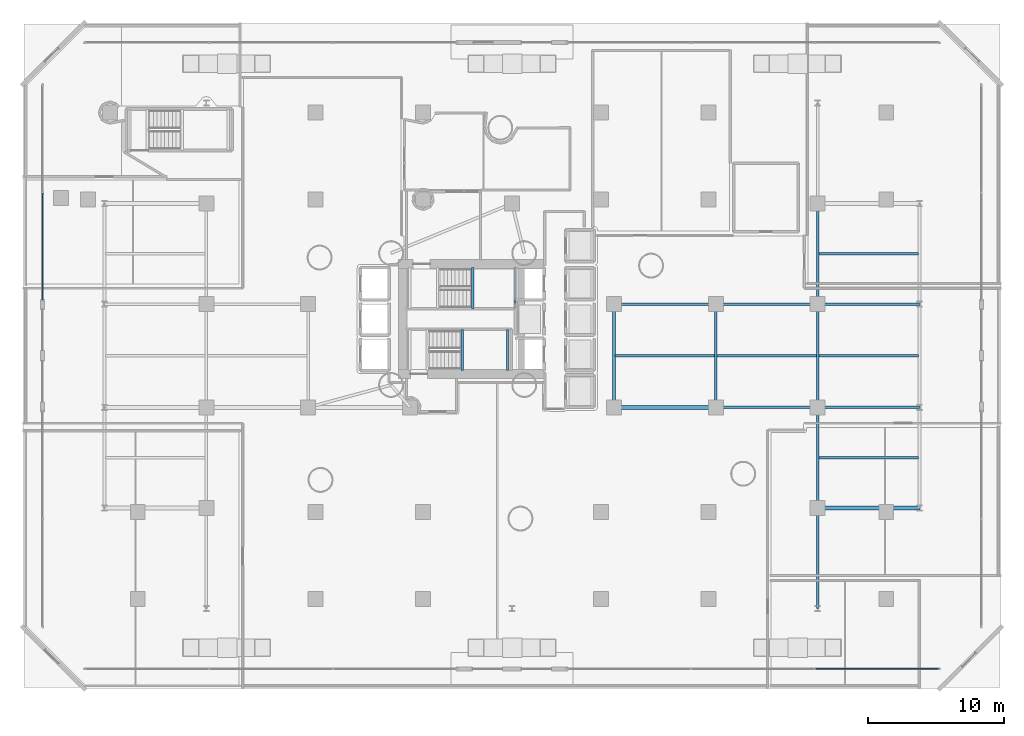
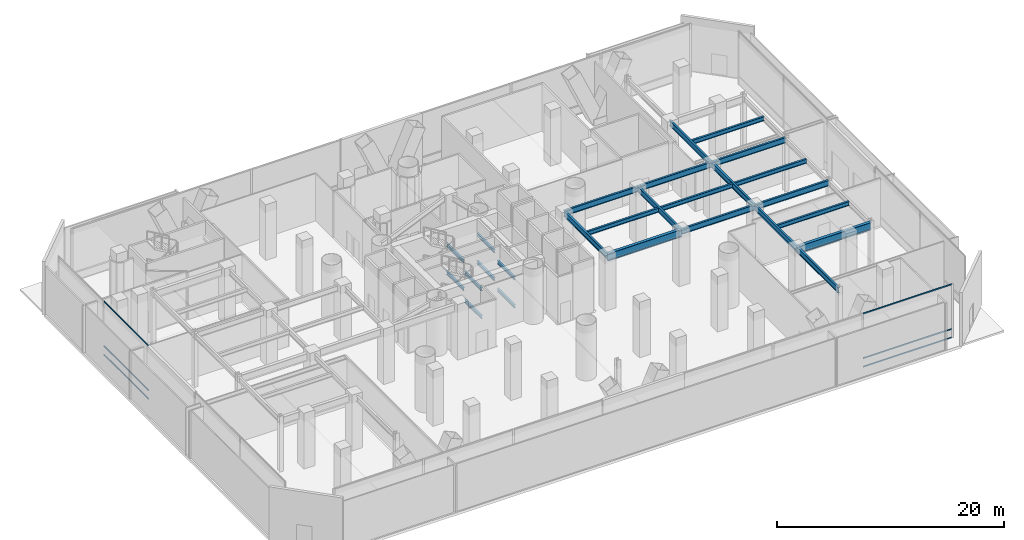
# One storey, part 14 of 40: 26 beams, 6 members, 2 elements without a shape of their own.
"""IFC4 building model written with IfcOpenShell, lengths in metres."""

from ifc_helpers import new_model, si_unit, direction, frame, origin, origin_2d, place, context, subcontext, project, spatial, hollow_rectangle, i_section, extrude, material, layer, layer_set, material_profile, profile_set, type_object, element, aggregate, save


model = new_model("IFC4")

# Units and contexts
model_context = context("Model", 3, precision=1e-05, world=origin(), true_north=direction((0.0, 1.0)))
body_context = subcontext(model_context, "Body", "Model", "MODEL_VIEW")
ifc_project = project(units=[si_unit("LENGTHUNIT", "METRE"), si_unit("AREAUNIT", "SQUARE_METRE"), si_unit("VOLUMEUNIT", "CUBIC_METRE"), si_unit("PLANEANGLEUNIT", "RADIAN"), si_unit("MASSUNIT", "GRAM", prefix="KILO")], contexts=[model_context])

# Site, building, storey
site_placement = place(None, origin())
site = spatial("IfcSite", under=ifc_project, at=site_placement, CompositionType="ELEMENT")
building_placement = place(site_placement, origin())
building = spatial("IfcBuilding", under=site, at=building_placement, Name="Qianvela Tower", CompositionType="ELEMENT")
storey_placement = place(building_placement, origin())
storey = spatial("IfcBuildingStorey", under=building, at=storey_placement, Name="L00", CompositionType="ELEMENT", Elevation=0.0)

# Beams
ifc_material_1 = material(Name="Steel Q355B", Category="steel")
ifc_material_profile_1 = material_profile(ifc_material_1, i_section(OverallWidth=0.175048828125, OverallDepth=0.35009765625, WebThickness=0.007080078125, FlangeThickness=0.010986328125, at=origin_2d()), Name="HN350x175x7x11")
ifc_profile_set_1 = profile_set([ifc_material_profile_1], Name="Steel Q355B")
beam_type_1 = type_object("IfcBeamType", Name="BM-HN350-JOIST", PredefinedType="JOIST", material=ifc_profile_set_1)
for number, where, z_axis, x_axis, name in (
    (1, (34.6201171875, 29.4599609375, 1.125), (0.0, 1.0, 0.0), (-1.0, 0.0, 0.0), "L00 Stair ST-1 Landing Support Beam 1.1"),
    (2, (37.719970703125, 29.4599609375, 1.125), (0.0, 1.0, 0.0), (-1.0, 0.0, 0.0), "L00 Stair ST-1 Landing Support Beam 1.2"),
    (3, (34.6201171875, 29.4599609375, 4.125), (0.0, 1.0, 0.0), (-1.0, 0.0, 0.0), "L00 Stair ST-1 Landing Support Beam 3.1"),
    (4, (37.719970703125, 29.4599609375, 4.125), (0.0, 1.0, 0.0), (-1.0, 0.0, 0.0), "L00 Stair ST-1 Landing Support Beam 3.2"),
    (5, (33.840087890625, 24.919921875, 1.125), (0.0, 1.0, 0.0), (-1.0, 0.0, 0.0), "L00 Stair ST-2 Landing Support Beam 1.1"),
    (6, (37.169921875, 24.919921875, 1.125), (0.0, 1.0, 0.0), (-1.0, 0.0, 0.0), "L00 Stair ST-2 Landing Support Beam 1.2"),
    (7, (33.840087890625, 24.919921875, 4.125), (0.0, 1.0, 0.0), (-1.0, 0.0, 0.0), "L00 Stair ST-2 Landing Support Beam 3.1"),
    (8, (37.169921875, 24.919921875, 4.125), (0.0, 1.0, 0.0), (-1.0, 0.0, 0.0), "L00 Stair ST-2 Landing Support Beam 3.2"),
):
    element("IfcBeam", number, at=place(storey_placement, frame(where, z_axis=z_axis, x_axis=x_axis)), inside=storey, type_object=beam_type_1, Name=name, PredefinedType="JOIST", context=body_context, shape_type="SweptSolid", body=[
        extrude(i_section(OverallWidth=0.175048828125, OverallDepth=0.35009765625, WebThickness=0.007080078125, FlangeThickness=0.010986328125, at=origin_2d()), origin(), (0.0, 0.0, 1.0), 3.02001953125),
    ])
ifc_material_2 = material(Name="Steel Q355B", Category="steel")
ifc_material_profile_2 = material_profile(ifc_material_2, i_section(OverallWidth=0.199951171875, OverallDepth=0.449951171875, WebThickness=0.009033203125, FlangeThickness=0.013916015625, at=origin_2d()), Name="HN450x200x9x14")
ifc_profile_set_2 = profile_set([ifc_material_profile_2], Name="Steel Q355B")
beam_type_2 = type_object("IfcBeamType", Name="BM-HN450-JOIST", PredefinedType="JOIST", material=ifc_profile_set_2)
for number, where, z_axis, x_axis, name in (
    (9, (45.095947265625, 26.0, 5.552978515625), (1.0, 0.0, 0.0), (0.0, 1.0, 0.0), "L00 Secondary Floor Joist 46"),
    (10, (52.595947265625, 26.0, 5.552978515625), (1.0, 0.0, 0.0), (0.0, 1.0, 0.0), "L00 Secondary Floor Joist 47"),
    (11, (60.095947265625, 18.5, 5.552978515625), (1.0, 0.0, 0.0), (0.0, 1.0, 0.0), "L00 Secondary Floor Joist 48"),
    (12, (60.095947265625, 26.0, 5.552978515625), (1.0, 0.0, 0.0), (0.0, 1.0, 0.0), "L00 Secondary Floor Joist 49"),
    (13, (60.095947265625, 33.5, 5.552978515625), (1.0, 0.0, 0.0), (0.0, 1.0, 0.0), "L00 Secondary Floor Joist 50"),
):
    element("IfcBeam", number, at=place(storey_placement, frame(where, z_axis=z_axis, x_axis=x_axis)), inside=storey, type_object=beam_type_2, Name=name, PredefinedType="JOIST", context=body_context, shape_type="SweptSolid", body=[
        extrude(i_section(OverallWidth=0.199951171875, OverallDepth=0.449951171875, WebThickness=0.009033203125, FlangeThickness=0.013916015625, at=origin_2d()), origin(), (0.0, 0.0, 1.0), 7.30810546875),
    ])
ifc_material_3 = material(Name="Steel Q355B", Category="steel")
ifc_material_profile_3 = material_profile(ifc_material_3, i_section(OverallWidth=0.199951171875, OverallDepth=0.60009765625, WebThickness=0.010986328125, FlangeThickness=0.01708984375, at=origin_2d()), Name="HN600x200x11x17")
ifc_profile_set_3 = profile_set([ifc_material_profile_3], Name="Steel Q355B")
beam_type_3 = type_object("IfcBeamType", Name="BM-HN600-GIRD", PredefinedType="BEAM", material=ifc_profile_set_3)
for number, where, z_axis, x_axis, name in (
    (14, (52.5, 22.199951171875, 5.47802734375), (1.0, 0.0, 0.0), (0.0, 1.0, 0.0), "L00 East-West Grid Girder 7"),
    (15, (60.0, 22.199951171875, 5.47802734375), (1.0, 0.0, 0.0), (0.0, 1.0, 0.0), "L00 East-West Grid Girder 8"),
    (16, (45.0, 29.800048828125, 5.47802734375), (1.0, 0.0, 0.0), (0.0, 1.0, 0.0), "L00 East-West Grid Girder 11"),
    (17, (52.5, 29.800048828125, 5.47802734375), (1.0, 0.0, 0.0), (0.0, 1.0, 0.0), "L00 East-West Grid Girder 12"),
    (18, (60.0, 29.800048828125, 5.47802734375), (1.0, 0.0, 0.0), (0.0, 1.0, 0.0), "L00 East-West Grid Girder 13"),
):
    element("IfcBeam", number, at=place(storey_placement, frame(where, z_axis=z_axis, x_axis=x_axis)), inside=storey, type_object=beam_type_3, Name=name, PredefinedType="BEAM", context=body_context, shape_type="SweptSolid", body=[
        extrude(i_section(OverallWidth=0.199951171875, OverallDepth=0.60009765625, WebThickness=0.010986328125, FlangeThickness=0.01708984375, at=origin_2d()), origin(), (0.0, 0.0, 1.0), 7.5),
    ])
for number, where, z_axis, x_axis, name in (
    (19, (45.0, 22.199951171875, 5.47802734375), (0.0, 1.0, 0.0), (-1.0, 0.0, 0.0), "L00 North-South Grid Girder 25"),
    (20, (52.5, 22.199951171875, 5.47802734375), (0.0, 1.0, 0.0), (-1.0, 0.0, 0.0), "L00 North-South Grid Girder 26"),
):
    element("IfcBeam", number, at=place(storey_placement, frame(where, z_axis=z_axis, x_axis=x_axis)), inside=storey, type_object=beam_type_3, Name=name, PredefinedType="BEAM", context=body_context, shape_type="SweptSolid", body=[
        extrude(i_section(OverallWidth=0.199951171875, OverallDepth=0.60009765625, WebThickness=0.010986328125, FlangeThickness=0.01708984375, at=origin_2d()), origin(), (0.0, 0.0, 1.0), 7.60009765625),
    ])
beam_1_placement = place(storey_placement, frame((60.0, 7.39990234375, 5.47802734375), z_axis=(0.0, 1.0, 0.0), x_axis=(-1.0, 0.0, 0.0)))
element("IfcBeam", 21, at=beam_1_placement, inside=storey, type_object=beam_type_3, Name="L00 North-South Grid Girder 27", PredefinedType="BEAM", context=body_context, shape_type="SweptSolid", body=[
    extrude(i_section(OverallWidth=0.199951171875, OverallDepth=0.60009765625, WebThickness=0.010986328125, FlangeThickness=0.01708984375, at=origin_2d()), origin(), (0.0, 0.0, 1.0), 7.400146484375),
])
beam_2_placement = place(storey_placement, frame((60.0, 14.800048828125, 5.47802734375), z_axis=(0.0, 1.0, 0.0), x_axis=(-1.0, 0.0, 0.0)))
element("IfcBeam", 22, at=beam_2_placement, inside=storey, type_object=beam_type_3, Name="L00 North-South Grid Girder 28", PredefinedType="BEAM", context=body_context, shape_type="SweptSolid", body=[
    extrude(i_section(OverallWidth=0.199951171875, OverallDepth=0.60009765625, WebThickness=0.010986328125, FlangeThickness=0.01708984375, at=origin_2d()), origin(), (0.0, 0.0, 1.0), 7.39990234375),
])
beam_3_placement = place(storey_placement, frame((60.0, 22.199951171875, 5.47802734375), z_axis=(0.0, 1.0, 0.0), x_axis=(-1.0, 0.0, 0.0)))
element("IfcBeam", 23, at=beam_3_placement, inside=storey, type_object=beam_type_3, Name="L00 North-South Grid Girder 29", PredefinedType="BEAM", context=body_context, shape_type="SweptSolid", body=[
    extrude(i_section(OverallWidth=0.199951171875, OverallDepth=0.60009765625, WebThickness=0.010986328125, FlangeThickness=0.01708984375, at=origin_2d()), origin(), (0.0, 0.0, 1.0), 7.60009765625),
])
beam_4_placement = place(storey_placement, frame((60.0, 29.800048828125, 5.47802734375), z_axis=(0.0, 1.0, 0.0), x_axis=(-1.0, 0.0, 0.0)))
element("IfcBeam", 24, at=beam_4_placement, inside=storey, type_object=beam_type_3, Name="L00 North-South Grid Girder 30", PredefinedType="BEAM", context=body_context, shape_type="SweptSolid", body=[
    extrude(i_section(OverallWidth=0.199951171875, OverallDepth=0.60009765625, WebThickness=0.010986328125, FlangeThickness=0.01708984375, at=origin_2d()), origin(), (0.0, 0.0, 1.0), 7.39990234375),
])
ifc_material_4 = material(Name="Steel Q355B", Category="steel")
ifc_material_profile_4 = material_profile(ifc_material_4, i_section(OverallWidth=0.300048828125, OverallDepth=0.800048828125, WebThickness=0.013916015625, FlangeThickness=0.02587890625, at=origin_2d()), Name="HN800x300x14x26")
ifc_profile_set_4 = profile_set([ifc_material_profile_4], Name="Steel Q355B")
beam_type_4 = type_object("IfcBeamType", Name="BM-HN800-SPAND", PredefinedType="SPANDREL", material=ifc_profile_set_4)
for number, where, z_axis, x_axis, name in (
    (25, (60.0, 14.800048828125, 5.3779296875), (1.0, 0.0, 0.0), (0.0, 1.0, 0.0), "L00 East-West Grid Girder 2"),
    (26, (45.0, 22.199951171875, 5.3779296875), (1.0, 0.0, 0.0), (0.0, 1.0, 0.0), "L00 East-West Grid Girder 6"),
):
    element("IfcBeam", number, at=place(storey_placement, frame(where, z_axis=z_axis, x_axis=x_axis)), inside=storey, type_object=beam_type_4, Name=name, PredefinedType="SPANDREL", context=body_context, shape_type="SweptSolid", body=[
        extrude(i_section(OverallWidth=0.300048828125, OverallDepth=0.800048828125, WebThickness=0.013916015625, FlangeThickness=0.02587890625, at=origin_2d()), origin(), (0.0, 0.0, 1.0), 7.5),
    ])

# Curtain wall, members
ifc_material_5 = material(Name="Anodised Architectural Aluminium and Low-E Glass", Category="aluminium")
ifc_layer = layer(ifc_material_5, 0.199951171875)
ifc_layer_set = layer_set([ifc_layer], Name="Anodised Architectural Aluminium and Low-E Glass")
curtain_wall_type = type_object("IfcCurtainWallType", Name="CW-CONCOURSE", PredefinedType="USERDEFINED", material=ifc_layer_set)
curtain_wall_1_placement = place(storey_placement, origin())
curtain_wall_1 = element("IfcCurtainWall", 27, at=curtain_wall_1_placement, inside=storey, type_object=curtain_wall_type, Name="L00 CW-CONCOURSE Curtain Wall 01B", ObjectType="CURTAIN_WALL_SYSTEM", PredefinedType="USERDEFINED")
ifc_material_6 = material(Name="Anodised Architectural Aluminium 6063-T6", Category="aluminium")
ifc_material_profile_5 = material_profile(ifc_material_6, hollow_rectangle(XDim=0.06494140625, YDim=0.1298828125, WallThickness=0.00439453125, at=origin_2d()), Name="ALU-TRAN-65x130")
ifc_profile_set_5 = profile_set([ifc_material_profile_5], Name="Anodised Architectural Aluminium 6063-T6")
member_type = type_object("IfcMemberType", Name="CW-CONCOURSE-TRAN", PredefinedType="USERDEFINED", material=ifc_profile_set_5)
member_1_placement = place(storey_placement, frame((59.8515625, 2.949951171875, 0.032470703125), z_axis=(1.0, 0.0, 0.0), x_axis=(0.0, 1.0, 0.0)))
member_1 = element("IfcMember", 28, at=member_1_placement, type_object=member_type, Name="CW-1 transom 3.1", ObjectType="TRANSOM", PredefinedType="USERDEFINED", context=body_context, shape_type="SweptSolid", body=[
    extrude(hollow_rectangle(XDim=0.06494140625, YDim=0.1298828125, WallThickness=0.00439453125, at=origin_2d()), origin(), (0.0, 0.0, 1.0), 9.0283203125),
])
member_2_placement = place(storey_placement, frame((59.8515625, 2.949951171875, 0.949951171875), z_axis=(1.0, 0.0, 0.0), x_axis=(0.0, 1.0, 0.0)))
member_2 = element("IfcMember", 29, at=member_2_placement, type_object=member_type, Name="CW-1 transom 3.2", ObjectType="TRANSOM", PredefinedType="USERDEFINED", context=body_context, shape_type="SweptSolid", body=[
    extrude(hollow_rectangle(XDim=0.06494140625, YDim=0.1298828125, WallThickness=0.00439453125, at=origin_2d()), origin(), (0.0, 0.0, 1.0), 9.0283203125),
])
member_3_placement = place(storey_placement, frame((59.8515625, 2.949951171875, 5.74755859375), z_axis=(1.0, 0.0, 0.0), x_axis=(0.0, 1.0, 0.0)))
member_3 = element("IfcMember", 30, at=member_3_placement, type_object=member_type, Name="CW-1 transom 3.3", ObjectType="TRANSOM", PredefinedType="USERDEFINED", context=body_context, shape_type="SweptSolid", body=[
    extrude(hollow_rectangle(XDim=0.06494140625, YDim=0.1298828125, WallThickness=0.00439453125, at=origin_2d()), origin(), (0.0, 0.0, 1.0), 9.0283203125),
])
aggregate(curtain_wall_1, [member_1, member_2, member_3])

curtain_wall_2_placement = place(storey_placement, origin())
curtain_wall_2 = element("IfcCurtainWall", 31, at=curtain_wall_2_placement, inside=storey, type_object=curtain_wall_type, Name="L00 CW-CONCOURSE Curtain Wall 07A", ObjectType="CURTAIN_WALL_SYSTEM", PredefinedType="USERDEFINED")
member_4_placement = place(storey_placement, frame((2.949951171875, 37.965087890625, 0.032470703125), z_axis=(0.0, -1.0, 0.0), x_axis=(1.0, 0.0, 0.0)))
member_4 = element("IfcMember", 32, at=member_4_placement, type_object=member_type, Name="CW-1 transom 2.1", ObjectType="TRANSOM", PredefinedType="USERDEFINED", context=body_context, shape_type="SweptSolid", body=[
    extrude(hollow_rectangle(XDim=0.06494140625, YDim=0.1298828125, WallThickness=0.00439453125, at=origin_2d()), origin(), (0.0, 0.0, 1.0), 7.844970703125),
])
member_5_placement = place(storey_placement, frame((2.949951171875, 37.965087890625, 0.949951171875), z_axis=(0.0, -1.0, 0.0), x_axis=(1.0, 0.0, 0.0)))
member_5 = element("IfcMember", 33, at=member_5_placement, type_object=member_type, Name="CW-1 transom 2.2", ObjectType="TRANSOM", PredefinedType="USERDEFINED", context=body_context, shape_type="SweptSolid", body=[
    extrude(hollow_rectangle(XDim=0.06494140625, YDim=0.1298828125, WallThickness=0.00439453125, at=origin_2d()), origin(), (0.0, 0.0, 1.0), 7.844970703125),
])
member_6_placement = place(storey_placement, frame((2.949951171875, 37.965087890625, 5.74755859375), z_axis=(0.0, -1.0, 0.0), x_axis=(1.0, 0.0, 0.0)))
member_6 = element("IfcMember", 34, at=member_6_placement, type_object=member_type, Name="CW-1 transom 2.3", ObjectType="TRANSOM", PredefinedType="USERDEFINED", context=body_context, shape_type="SweptSolid", body=[
    extrude(hollow_rectangle(XDim=0.06494140625, YDim=0.1298828125, WallThickness=0.00439453125, at=origin_2d()), origin(), (0.0, 0.0, 1.0), 7.844970703125),
])
aggregate(curtain_wall_2, [member_4, member_5, member_6])

save(model, "model.ifc")
